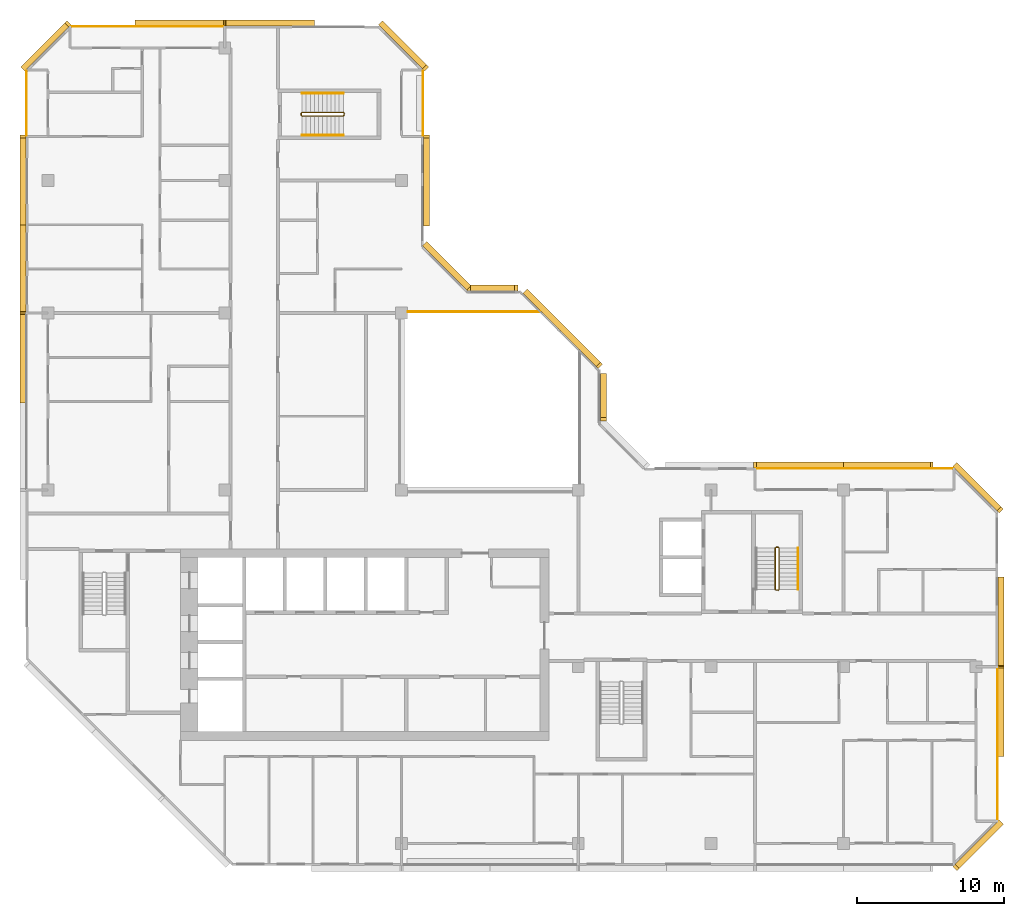
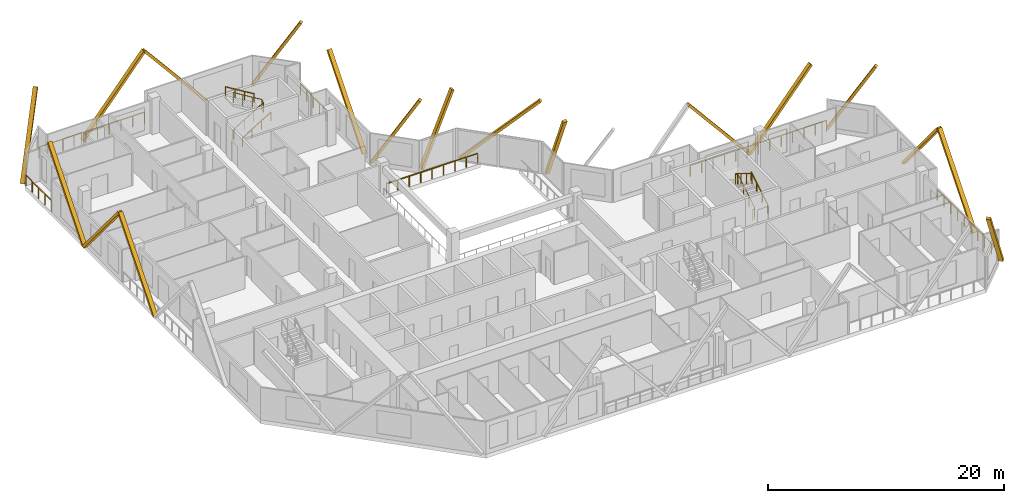
# One storey, part 13 of 13: 18 coverings, 11 railings.
"""IFC4 building model written with IfcOpenShell, lengths in metres."""

from ifc_helpers import new_model, si_unit, direction, frame, origin, origin_2d, place, context, subcontext, project, spatial, rectangle, extrude, material, material_profile, profile_set, type_object, element, save


model = new_model("IFC4")

# Units and contexts
model_context = context("Model", 3, precision=1e-05, world=origin(), true_north=direction((0.0, 1.0)))
body_context = subcontext(model_context, "Body", "Model", "MODEL_VIEW")
ifc_project = project(units=[si_unit("LENGTHUNIT", "METRE"), si_unit("AREAUNIT", "SQUARE_METRE"), si_unit("VOLUMEUNIT", "CUBIC_METRE"), si_unit("PLANEANGLEUNIT", "RADIAN"), si_unit("MASSUNIT", "GRAM", prefix="KILO")], contexts=[model_context])

# Site, building, storey
site_placement = place(None, origin())
site = spatial("IfcSite", under=ifc_project, at=site_placement, CompositionType="ELEMENT")
building_placement = place(site_placement, origin())
building = spatial("IfcBuilding", under=site, at=building_placement, Name="Chenar Terraces", CompositionType="ELEMENT")
storey_placement = place(building_placement, frame((0.0, 0.0, 273.39990234375)))
storey = spatial("IfcBuildingStorey", under=building, at=storey_placement, Name="L63", CompositionType="ELEMENT", Elevation=273.39990234375)

# Railings
ifc_material_1 = material(Name="Powder-coated steel", Category="steel")
railing_type_1 = type_object("IfcRailingType", Name="Guard 1100 steel rail with glass infill", PredefinedType="GUARDRAIL", material=ifc_material_1)
railing_1_placement = place(storey_placement, frame((24.449951171875, 36.10009765625, 0.0)))
element("IfcRailing", 1, at=railing_1_placement, inside=storey, type_object=railing_type_1, Name="Guard L63-2", PredefinedType="GUARDRAIL", context=body_context, shape_type="SweptSolid", body=[
    extrude(rectangle(XDim=0.06005859375, YDim=0.06005859375, at=origin_2d()), frame((0.0, 0.0, 1.070068359375), z_axis=(1.0, 0.0, 0.0), x_axis=(0.0, 1.0, 0.0)), (0.0, 0.0, 1.0), 8.949951171875),
    extrude(rectangle(XDim=0.050048828125, YDim=0.050048828125, at=origin_2d()), origin(), (0.0, 0.0, 1.0), 1.0400390625),
    extrude(rectangle(XDim=0.050048828125, YDim=0.050048828125, at=origin_2d()), frame((1.11865234375, 0.0, 0.0)), (0.0, 0.0, 1.0), 1.0400390625),
    extrude(rectangle(XDim=0.050048828125, YDim=0.050048828125, at=origin_2d()), frame((2.237548828125, 0.0, 0.0)), (0.0, 0.0, 1.0), 1.0400390625),
    extrude(rectangle(XDim=0.050048828125, YDim=0.050048828125, at=origin_2d()), frame((3.356201171875, 0.0, 0.0)), (0.0, 0.0, 1.0), 1.0400390625),
    extrude(rectangle(XDim=0.050048828125, YDim=0.050048828125, at=origin_2d()), frame((4.47509765625, 0.0, 0.0)), (0.0, 0.0, 1.0), 1.0400390625),
    extrude(rectangle(XDim=0.050048828125, YDim=0.050048828125, at=origin_2d()), frame((5.59375, 0.0, 0.0)), (0.0, 0.0, 1.0), 1.0400390625),
    extrude(rectangle(XDim=0.050048828125, YDim=0.050048828125, at=origin_2d()), frame((6.71240234375, 0.0, 0.0)), (0.0, 0.0, 1.0), 1.0400390625),
    extrude(rectangle(XDim=0.050048828125, YDim=0.050048828125, at=origin_2d()), frame((7.831298828125, 0.0, 0.0)), (0.0, 0.0, 1.0), 1.0400390625),
    extrude(rectangle(XDim=0.050048828125, YDim=0.050048828125, at=origin_2d()), frame((8.949951171875, 0.0, 0.0)), (0.0, 0.0, 1.0), 1.0400390625),
])
ifc_material_2 = material(Name="Stainless steel and glass", Category="steel")
railing_type_2 = type_object("IfcRailingType", Name="Loggia guard 1150", PredefinedType="GUARDRAIL", material=ifc_material_2)
railing_2_placement = place(storey_placement, frame((25.449951171875, 48.074951171875, 0.0)))
element("IfcRailing", 2, at=railing_2_placement, inside=storey, type_object=railing_type_2, Name="Loggia guard", PredefinedType="GUARDRAIL", context=body_context, shape_type="SweptSolid", body=[
    extrude(rectangle(XDim=0.048095703125, YDim=0.048095703125, at=origin_2d()), frame((0.0, 0.0, 1.1259765625), z_axis=(0.0, 1.0, 0.0), x_axis=(-1.0, 0.0, 0.0)), (0.0, 0.0, 1.0), 4.35009765625),
    extrude(rectangle(XDim=0.0419921875, YDim=0.0419921875, at=origin_2d()), origin(), (0.0, 0.0, 1.0), 1.101806640625),
    extrude(rectangle(XDim=0.0419921875, YDim=0.0419921875, at=origin_2d()), frame((0.0, 1.08740234375, 0.0)), (0.0, 0.0, 1.0), 1.101806640625),
    extrude(rectangle(XDim=0.0419921875, YDim=0.0419921875, at=origin_2d()), frame((0.0, 2.175048828125, 0.0)), (0.0, 0.0, 1.0), 1.101806640625),
    extrude(rectangle(XDim=0.0419921875, YDim=0.0419921875, at=origin_2d()), frame((0.0, 3.2626953125, 0.0)), (0.0, 0.0, 1.0), 1.101806640625),
    extrude(rectangle(XDim=0.0419921875, YDim=0.0419921875, at=origin_2d()), frame((0.0, 4.35009765625, 0.0)), (0.0, 0.0, 1.0), 1.101806640625),
])
railing_3_placement = place(storey_placement, frame((64.449951171875, 1.574951171875, 0.0)))
element("IfcRailing", 3, at=railing_3_placement, inside=storey, type_object=railing_type_2, Name="Loggia guard", PredefinedType="GUARDRAIL", context=body_context, shape_type="SweptSolid", body=[
    extrude(rectangle(XDim=0.048095703125, YDim=0.048095703125, at=origin_2d()), frame((0.0, 0.0, 1.1259765625), z_axis=(0.0, 1.0, 0.0), x_axis=(-1.0, 0.0, 0.0)), (0.0, 0.0, 1.0), 10.35009765625),
    extrude(rectangle(XDim=0.0419921875, YDim=0.0419921875, at=origin_2d()), origin(), (0.0, 0.0, 1.0), 1.101806640625),
    extrude(rectangle(XDim=0.0419921875, YDim=0.0419921875, at=origin_2d()), frame((0.0, 1.14990234375, 0.0)), (0.0, 0.0, 1.0), 1.101806640625),
    extrude(rectangle(XDim=0.0419921875, YDim=0.0419921875, at=origin_2d()), frame((0.0, 2.300048828125, 0.0)), (0.0, 0.0, 1.0), 1.101806640625),
    extrude(rectangle(XDim=0.0419921875, YDim=0.0419921875, at=origin_2d()), frame((0.0, 3.449951171875, 0.0)), (0.0, 0.0, 1.0), 1.101806640625),
    extrude(rectangle(XDim=0.0419921875, YDim=0.0419921875, at=origin_2d()), frame((0.0, 4.60009765625, 0.0)), (0.0, 0.0, 1.0), 1.101806640625),
    extrude(rectangle(XDim=0.0419921875, YDim=0.0419921875, at=origin_2d()), frame((0.0, 5.75, 0.0)), (0.0, 0.0, 1.0), 1.101806640625),
    extrude(rectangle(XDim=0.0419921875, YDim=0.0419921875, at=origin_2d()), frame((0.0, 6.900146484375, 0.0)), (0.0, 0.0, 1.0), 1.101806640625),
    extrude(rectangle(XDim=0.0419921875, YDim=0.0419921875, at=origin_2d()), frame((0.0, 8.050048828125, 0.0)), (0.0, 0.0, 1.0), 1.101806640625),
    extrude(rectangle(XDim=0.0419921875, YDim=0.0419921875, at=origin_2d()), frame((0.0, 9.2001953125, 0.0)), (0.0, 0.0, 1.0), 1.101806640625),
    extrude(rectangle(XDim=0.0419921875, YDim=0.0419921875, at=origin_2d()), frame((0.0, 10.35009765625, 0.0)), (0.0, 0.0, 1.0), 1.101806640625),
])
railing_4_placement = place(storey_placement, frame((61.425048828125, 25.449951171875, 0.0)))
element("IfcRailing", 4, at=railing_4_placement, inside=storey, type_object=railing_type_2, Name="Loggia guard", PredefinedType="GUARDRAIL", context=body_context, shape_type="SweptSolid", body=[
    extrude(rectangle(XDim=0.048095703125, YDim=0.048095703125, at=origin_2d()), frame((0.0, 0.0, 1.1259765625), z_axis=(-1.0, 0.0, 0.0), x_axis=(0.0, -1.0, 0.0)), (0.0, 0.0, 1.0), 13.35009765625),
    extrude(rectangle(XDim=0.0419921875, YDim=0.0419921875, at=origin_2d()), origin(), (0.0, 0.0, 1.0), 1.101806640625),
    extrude(rectangle(XDim=0.0419921875, YDim=0.0419921875, at=origin_2d()), frame((-1.112548828125, 0.0, 0.0)), (0.0, 0.0, 1.0), 1.101806640625),
    extrude(rectangle(XDim=0.0419921875, YDim=0.0419921875, at=origin_2d()), frame((-2.22509765625, 0.0, 0.0)), (0.0, 0.0, 1.0), 1.101806640625),
    extrude(rectangle(XDim=0.0419921875, YDim=0.0419921875, at=origin_2d()), frame((-3.33740234375, 0.0, 0.0)), (0.0, 0.0, 1.0), 1.101806640625),
    extrude(rectangle(XDim=0.0419921875, YDim=0.0419921875, at=origin_2d()), frame((-4.449951171875, 0.0, 0.0)), (0.0, 0.0, 1.0), 1.101806640625),
    extrude(rectangle(XDim=0.0419921875, YDim=0.0419921875, at=origin_2d()), frame((-5.5625, 0.0, 0.0)), (0.0, 0.0, 1.0), 1.101806640625),
    extrude(rectangle(XDim=0.0419921875, YDim=0.0419921875, at=origin_2d()), frame((-6.675048828125, 0.0, 0.0)), (0.0, 0.0, 1.0), 1.101806640625),
    extrude(rectangle(XDim=0.0419921875, YDim=0.0419921875, at=origin_2d()), frame((-7.78759765625, 0.0, 0.0)), (0.0, 0.0, 1.0), 1.101806640625),
    extrude(rectangle(XDim=0.0419921875, YDim=0.0419921875, at=origin_2d()), frame((-8.900146484375, 0.0, 0.0)), (0.0, 0.0, 1.0), 1.101806640625),
    extrude(rectangle(XDim=0.0419921875, YDim=0.0419921875, at=origin_2d()), frame((-10.0126953125, 0.0, 0.0)), (0.0, 0.0, 1.0), 1.101806640625),
    extrude(rectangle(XDim=0.0419921875, YDim=0.0419921875, at=origin_2d()), frame((-11.125, 0.0, 0.0)), (0.0, 0.0, 1.0), 1.101806640625),
    extrude(rectangle(XDim=0.0419921875, YDim=0.0419921875, at=origin_2d()), frame((-12.237548828125, 0.0, 0.0)), (0.0, 0.0, 1.0), 1.101806640625),
    extrude(rectangle(XDim=0.0419921875, YDim=0.0419921875, at=origin_2d()), frame((-13.35009765625, 0.0, 0.0)), (0.0, 0.0, 1.0), 1.101806640625),
])
railing_5_placement = place(storey_placement, frame((11.925048828125, 55.449951171875, 0.0)))
element("IfcRailing", 5, at=railing_5_placement, inside=storey, type_object=railing_type_2, Name="Loggia guard", PredefinedType="GUARDRAIL", context=body_context, shape_type="SweptSolid", body=[
    extrude(rectangle(XDim=0.048095703125, YDim=0.048095703125, at=origin_2d()), frame((0.0, 0.0, 1.1259765625), z_axis=(-1.0, 0.0, 0.0), x_axis=(0.0, -1.0, 0.0)), (0.0, 0.0, 1.0), 10.35009765625),
    extrude(rectangle(XDim=0.0419921875, YDim=0.0419921875, at=origin_2d()), origin(), (0.0, 0.0, 1.0), 1.101806640625),
    extrude(rectangle(XDim=0.0419921875, YDim=0.0419921875, at=origin_2d()), frame((-1.14990234375, 0.0, 0.0)), (0.0, 0.0, 1.0), 1.101806640625),
    extrude(rectangle(XDim=0.0419921875, YDim=0.0419921875, at=origin_2d()), frame((-2.300048828125, 0.0, 0.0)), (0.0, 0.0, 1.0), 1.101806640625),
    extrude(rectangle(XDim=0.0419921875, YDim=0.0419921875, at=origin_2d()), frame((-3.449951171875, 0.0, 0.0)), (0.0, 0.0, 1.0), 1.101806640625),
    extrude(rectangle(XDim=0.0419921875, YDim=0.0419921875, at=origin_2d()), frame((-4.60009765625, 0.0, 0.0)), (0.0, 0.0, 1.0), 1.101806640625),
    extrude(rectangle(XDim=0.0419921875, YDim=0.0419921875, at=origin_2d()), frame((-5.75, 0.0, 0.0)), (0.0, 0.0, 1.0), 1.101806640625),
    extrude(rectangle(XDim=0.0419921875, YDim=0.0419921875, at=origin_2d()), frame((-6.900146484375, 0.0, 0.0)), (0.0, 0.0, 1.0), 1.101806640625),
    extrude(rectangle(XDim=0.0419921875, YDim=0.0419921875, at=origin_2d()), frame((-8.050048828125, 0.0, 0.0)), (0.0, 0.0, 1.0), 1.101806640625),
    extrude(rectangle(XDim=0.0419921875, YDim=0.0419921875, at=origin_2d()), frame((-9.2001953125, 0.0, 0.0)), (0.0, 0.0, 1.0), 1.101806640625),
    extrude(rectangle(XDim=0.0419921875, YDim=0.0419921875, at=origin_2d()), frame((-10.35009765625, 0.0, 0.0)), (0.0, 0.0, 1.0), 1.101806640625),
])
railing_6_placement = place(storey_placement, frame((-1.449951171875, 52.425048828125, 0.0)))
element("IfcRailing", 6, at=railing_6_placement, inside=storey, type_object=railing_type_2, Name="Loggia guard", PredefinedType="GUARDRAIL", context=body_context, shape_type="SweptSolid", body=[
    extrude(rectangle(XDim=0.048095703125, YDim=0.048095703125, at=origin_2d()), frame((0.0, 0.0, 1.1259765625), z_axis=(0.0, -1.0, 0.0), x_axis=(1.0, 0.0, 0.0)), (0.0, 0.0, 1.0), 4.35009765625),
    extrude(rectangle(XDim=0.0419921875, YDim=0.0419921875, at=origin_2d()), origin(), (0.0, 0.0, 1.0), 1.101806640625),
    extrude(rectangle(XDim=0.0419921875, YDim=0.0419921875, at=origin_2d()), frame((0.0, -1.08740234375, 0.0)), (0.0, 0.0, 1.0), 1.101806640625),
    extrude(rectangle(XDim=0.0419921875, YDim=0.0419921875, at=origin_2d()), frame((0.0, -2.175048828125, 0.0)), (0.0, 0.0, 1.0), 1.101806640625),
    extrude(rectangle(XDim=0.0419921875, YDim=0.0419921875, at=origin_2d()), frame((0.0, -3.2626953125, 0.0)), (0.0, 0.0, 1.0), 1.101806640625),
    extrude(rectangle(XDim=0.0419921875, YDim=0.0419921875, at=origin_2d()), frame((0.0, -4.35009765625, 0.0)), (0.0, 0.0, 1.0), 1.101806640625),
])
ifc_material_3 = material(Name="Powder-coated steel", Category="steel")
railing_type_3 = type_object("IfcRailingType", Name="Stair guard 1100", PredefinedType="GUARDRAIL", material=ifc_material_3)
railing_7_placement = place(storey_placement, frame((49.375, 17.25, 3.75)))
element("IfcRailing", 7, at=railing_7_placement, inside=storey, type_object=railing_type_3, Name="L63 ST3 stair guard 1", PredefinedType="GUARDRAIL", context=body_context, shape_type="SweptSolid", body=[
    extrude(rectangle(XDim=0.048095703125, YDim=0.048095703125, at=origin_2d()), frame((0.0, 0.0, 1.076171875), z_axis=(0.0, 0.854202870247, -0.519939858505), x_axis=(-1.0, 0.0, 0.0)), (0.0, 0.0, 1.0), 3.278076171875),
    extrude(rectangle(XDim=0.048095703125, YDim=0.048095703125, at=origin_2d()), frame((0.0, 2.800048828125, -0.62841796875), z_axis=(0.270899902878, 0.270899902878, -0.923702595667), x_axis=(-0.707106781187, 0.707106781187, 0.0)), (0.0, 0.0, 1.0), 0.184814453125),
    extrude(rectangle(XDim=0.048095703125, YDim=0.048095703125, at=origin_2d()), frame((0.050048828125, 2.85009765625, -0.798828125), z_axis=(1.0, 0.0, 0.0), x_axis=(0.0, 1.0, 0.0)), (0.0, 0.0, 1.0), 0.14990234375),
    extrude(rectangle(XDim=0.048095703125, YDim=0.048095703125, at=origin_2d()), frame((0.199951171875, 2.85009765625, -0.798828125), z_axis=(0.707106781187, -0.707106781187, 0.0), x_axis=(0.707106781187, 0.707106781187, 0.0)), (0.0, 0.0, 1.0), 0.07080078125),
    extrude(rectangle(XDim=0.048095703125, YDim=0.048095703125, at=origin_2d()), frame((0.25, 2.800048828125, -0.798828125), z_axis=(0.0, -0.854202870247, -0.519939858505), x_axis=(1.0, 0.0, 0.0)), (0.0, 0.0, 1.0), 3.278076171875),
    extrude(rectangle(XDim=0.048095703125, YDim=0.048095703125, at=origin_2d()), frame((0.25, 0.0, -2.50341796875), z_axis=(-0.270899902878, -0.270899902878, -0.923702595667), x_axis=(0.707106781187, -0.707106781187, 0.0)), (0.0, 0.0, 1.0), 0.184814453125),
    extrude(rectangle(XDim=0.048095703125, YDim=0.048095703125, at=origin_2d()), frame((0.199951171875, -0.050048828125, -2.673828125), z_axis=(-1.0, 0.0, 0.0), x_axis=(0.0, -1.0, 0.0)), (0.0, 0.0, 1.0), 0.14990234375),
    extrude(rectangle(XDim=0.0419921875, YDim=0.0419921875, at=origin_2d()), origin(), (0.0, 0.0, 1.0), 1.052001953125),
    extrude(rectangle(XDim=0.0419921875, YDim=0.0419921875, at=origin_2d()), frame((0.0, 0.933349609375, -0.568115234375)), (0.0, 0.0, 1.0), 1.052001953125),
    extrude(rectangle(XDim=0.0419921875, YDim=0.0419921875, at=origin_2d()), frame((0.0, 1.86669921875, -1.13623046875)), (0.0, 0.0, 1.0), 1.052001953125),
    extrude(rectangle(XDim=0.0419921875, YDim=0.0419921875, at=origin_2d()), frame((0.0, 2.800048828125, -1.704345703125)), (0.0, 0.0, 1.0), 1.052001953125),
    extrude(rectangle(XDim=0.0419921875, YDim=0.0419921875, at=origin_2d()), frame((0.050048828125, 2.85009765625, -1.875)), (0.0, 0.0, 1.0), 1.052001953125),
    extrude(rectangle(XDim=0.0419921875, YDim=0.0419921875, at=origin_2d()), frame((0.199951171875, 2.85009765625, -1.875)), (0.0, 0.0, 1.0), 1.052001953125),
    extrude(rectangle(XDim=0.0419921875, YDim=0.0419921875, at=origin_2d()), frame((0.25, 2.800048828125, -1.875)), (0.0, 0.0, 1.0), 1.052001953125),
    extrude(rectangle(XDim=0.0419921875, YDim=0.0419921875, at=origin_2d()), frame((0.25, 1.86669921875, -2.443115234375)), (0.0, 0.0, 1.0), 1.052001953125),
    extrude(rectangle(XDim=0.0419921875, YDim=0.0419921875, at=origin_2d()), frame((0.25, 0.933349609375, -3.01123046875)), (0.0, 0.0, 1.0), 1.052001953125),
    extrude(rectangle(XDim=0.0419921875, YDim=0.0419921875, at=origin_2d()), frame((0.25, 0.0, -3.579345703125)), (0.0, 0.0, 1.0), 1.052001953125),
    extrude(rectangle(XDim=0.0419921875, YDim=0.0419921875, at=origin_2d()), frame((0.199951171875, -0.050048828125, -3.75)), (0.0, 0.0, 1.0), 1.052001953125),
    extrude(rectangle(XDim=0.0419921875, YDim=0.0419921875, at=origin_2d()), frame((0.050048828125, -0.050048828125, -3.75)), (0.0, 0.0, 1.0), 1.052001953125),
])
railing_8_placement = place(storey_placement, frame((17.25, 49.625, 3.75)))
element("IfcRailing", 8, at=railing_8_placement, inside=storey, type_object=railing_type_3, Name="L63 ST4 stair guard 1", PredefinedType="GUARDRAIL", context=body_context, shape_type="SweptSolid", body=[
    extrude(rectangle(XDim=0.048095703125, YDim=0.048095703125, at=origin_2d()), frame((0.0, 0.0, 1.076171875), z_axis=(0.854202870247, 0.0, -0.519939858505), x_axis=(0.0, 1.0, 0.0)), (0.0, 0.0, 1.0), 3.278076171875),
    extrude(rectangle(XDim=0.048095703125, YDim=0.048095703125, at=origin_2d()), frame((2.800048828125, 0.0, -0.62841796875), z_axis=(0.270899902878, -0.270899902878, -0.923702595667), x_axis=(0.707106781187, 0.707106781187, 0.0)), (0.0, 0.0, 1.0), 0.184814453125),
    extrude(rectangle(XDim=0.048095703125, YDim=0.048095703125, at=origin_2d()), frame((2.85009765625, -0.050048828125, -0.798828125), z_axis=(0.0, -1.0, 0.0), x_axis=(1.0, 0.0, 0.0)), (0.0, 0.0, 1.0), 0.14990234375),
    extrude(rectangle(XDim=0.048095703125, YDim=0.048095703125, at=origin_2d()), frame((2.85009765625, -0.199951171875, -0.798828125), z_axis=(-0.707106781187, -0.707106781187, 0.0), x_axis=(0.707106781187, -0.707106781187, 0.0)), (0.0, 0.0, 1.0), 0.07080078125),
    extrude(rectangle(XDim=0.048095703125, YDim=0.048095703125, at=origin_2d()), frame((2.800048828125, -0.25, -0.798828125), z_axis=(-0.854202870247, 0.0, -0.519939858505), x_axis=(0.0, -1.0, 0.0)), (0.0, 0.0, 1.0), 3.278076171875),
    extrude(rectangle(XDim=0.048095703125, YDim=0.048095703125, at=origin_2d()), frame((0.0, -0.25, -2.50341796875), z_axis=(-0.270899902878, 0.270899902878, -0.923702595667), x_axis=(-0.707106781187, -0.707106781187, 0.0)), (0.0, 0.0, 1.0), 0.184814453125),
    extrude(rectangle(XDim=0.048095703125, YDim=0.048095703125, at=origin_2d()), frame((-0.050048828125, -0.199951171875, -2.673828125), z_axis=(0.0, 1.0, 0.0), x_axis=(-1.0, 0.0, 0.0)), (0.0, 0.0, 1.0), 0.14990234375),
    extrude(rectangle(XDim=0.0419921875, YDim=0.0419921875, at=origin_2d()), origin(), (0.0, 0.0, 1.0), 1.052001953125),
    extrude(rectangle(XDim=0.0419921875, YDim=0.0419921875, at=origin_2d()), frame((0.933349609375, 0.0, -0.568115234375)), (0.0, 0.0, 1.0), 1.052001953125),
    extrude(rectangle(XDim=0.0419921875, YDim=0.0419921875, at=origin_2d()), frame((1.86669921875, 0.0, -1.13623046875)), (0.0, 0.0, 1.0), 1.052001953125),
    extrude(rectangle(XDim=0.0419921875, YDim=0.0419921875, at=origin_2d()), frame((2.800048828125, 0.0, -1.704345703125)), (0.0, 0.0, 1.0), 1.052001953125),
    extrude(rectangle(XDim=0.0419921875, YDim=0.0419921875, at=origin_2d()), frame((2.85009765625, -0.050048828125, -1.875)), (0.0, 0.0, 1.0), 1.052001953125),
    extrude(rectangle(XDim=0.0419921875, YDim=0.0419921875, at=origin_2d()), frame((2.85009765625, -0.199951171875, -1.875)), (0.0, 0.0, 1.0), 1.052001953125),
    extrude(rectangle(XDim=0.0419921875, YDim=0.0419921875, at=origin_2d()), frame((2.800048828125, -0.25, -1.875)), (0.0, 0.0, 1.0), 1.052001953125),
    extrude(rectangle(XDim=0.0419921875, YDim=0.0419921875, at=origin_2d()), frame((1.86669921875, -0.25, -2.443115234375)), (0.0, 0.0, 1.0), 1.052001953125),
    extrude(rectangle(XDim=0.0419921875, YDim=0.0419921875, at=origin_2d()), frame((0.933349609375, -0.25, -3.01123046875)), (0.0, 0.0, 1.0), 1.052001953125),
    extrude(rectangle(XDim=0.0419921875, YDim=0.0419921875, at=origin_2d()), frame((0.0, -0.25, -3.579345703125)), (0.0, 0.0, 1.0), 1.052001953125),
    extrude(rectangle(XDim=0.0419921875, YDim=0.0419921875, at=origin_2d()), frame((-0.050048828125, -0.199951171875, -3.75)), (0.0, 0.0, 1.0), 1.052001953125),
    extrude(rectangle(XDim=0.0419921875, YDim=0.0419921875, at=origin_2d()), frame((-0.050048828125, -0.050048828125, -3.75)), (0.0, 0.0, 1.0), 1.052001953125),
])
ifc_material_4 = material(Name="Powder-coated steel", Category="steel")
railing_type_4 = type_object("IfcRailingType", Name="Stair handrail 900", PredefinedType="HANDRAIL", material=ifc_material_4)
railing_9_placement = place(storey_placement, frame((50.925048828125, 17.25, 0.170654296875)))
element("IfcRailing", 9, at=railing_9_placement, inside=storey, type_object=railing_type_4, Name="L63 ST3 stair handrail 1", PredefinedType="HANDRAIL", context=body_context, shape_type="SweptSolid", body=[
    extrude(rectangle(XDim=0.048095703125, YDim=0.048095703125, at=origin_2d()), frame((0.0, 0.0, 0.8759765625), z_axis=(0.0, 0.854202870247, 0.519939858505), x_axis=(-1.0, 0.0, 0.0)), (0.0, 0.0, 1.0), 3.278076171875),
    extrude(rectangle(XDim=0.0419921875, YDim=0.0419921875, at=origin_2d()), origin(), (0.0, 0.0, 1.0), 0.851806640625),
    extrude(rectangle(XDim=0.0419921875, YDim=0.0419921875, at=origin_2d()), frame((0.0, 0.933349609375, 0.568115234375)), (0.0, 0.0, 1.0), 0.851806640625),
    extrude(rectangle(XDim=0.0419921875, YDim=0.0419921875, at=origin_2d()), frame((0.0, 1.86669921875, 1.13623046875)), (0.0, 0.0, 1.0), 0.851806640625),
    extrude(rectangle(XDim=0.0419921875, YDim=0.0419921875, at=origin_2d()), frame((0.0, 2.800048828125, 1.704345703125)), (0.0, 0.0, 1.0), 0.851806640625),
])
railing_10_placement = place(storey_placement, frame((17.25, 48.074951171875, 0.170654296875)))
element("IfcRailing", 10, at=railing_10_placement, inside=storey, type_object=railing_type_4, Name="L63 ST4 stair handrail 1", PredefinedType="HANDRAIL", context=body_context, shape_type="SweptSolid", body=[
    extrude(rectangle(XDim=0.048095703125, YDim=0.048095703125, at=origin_2d()), frame((0.0, 0.0, 0.8759765625), z_axis=(0.854202870247, 0.0, 0.519939858505), x_axis=(0.0, 1.0, 0.0)), (0.0, 0.0, 1.0), 3.278076171875),
    extrude(rectangle(XDim=0.0419921875, YDim=0.0419921875, at=origin_2d()), origin(), (0.0, 0.0, 1.0), 0.851806640625),
    extrude(rectangle(XDim=0.0419921875, YDim=0.0419921875, at=origin_2d()), frame((0.933349609375, 0.0, 0.568115234375)), (0.0, 0.0, 1.0), 0.851806640625),
    extrude(rectangle(XDim=0.0419921875, YDim=0.0419921875, at=origin_2d()), frame((1.86669921875, 0.0, 1.13623046875)), (0.0, 0.0, 1.0), 0.851806640625),
    extrude(rectangle(XDim=0.0419921875, YDim=0.0419921875, at=origin_2d()), frame((2.800048828125, 0.0, 1.704345703125)), (0.0, 0.0, 1.0), 0.851806640625),
])
railing_11_placement = place(storey_placement, frame((20.050048828125, 50.925048828125, 2.045654296875)))
element("IfcRailing", 11, at=railing_11_placement, inside=storey, type_object=railing_type_4, Name="L63 ST4 stair handrail 2", PredefinedType="HANDRAIL", context=body_context, shape_type="SweptSolid", body=[
    extrude(rectangle(XDim=0.048095703125, YDim=0.048095703125, at=origin_2d()), frame((0.0, 0.0, 0.8759765625), z_axis=(-0.854202870247, 0.0, 0.519939858505), x_axis=(0.0, -1.0, 0.0)), (0.0, 0.0, 1.0), 3.278076171875),
    extrude(rectangle(XDim=0.0419921875, YDim=0.0419921875, at=origin_2d()), origin(), (0.0, 0.0, 1.0), 0.851806640625),
    extrude(rectangle(XDim=0.0419921875, YDim=0.0419921875, at=origin_2d()), frame((-0.933349609375, 0.0, 0.568115234375)), (0.0, 0.0, 1.0), 0.851806640625),
    extrude(rectangle(XDim=0.0419921875, YDim=0.0419921875, at=origin_2d()), frame((-1.86669921875, 0.0, 1.13623046875)), (0.0, 0.0, 1.0), 0.851806640625),
    extrude(rectangle(XDim=0.0419921875, YDim=0.0419921875, at=origin_2d()), frame((-2.800048828125, 0.0, 1.704345703125)), (0.0, 0.0, 1.0), 0.851806640625),
])

# Coverings
ifc_material_5 = material(Name="Terracotta", Category="masonry")
ifc_material_profile = material_profile(ifc_material_5, rectangle(XDim=0.39990234375, YDim=0.25, at=origin_2d()), Name="Terracotta baguette 400 x 250")
ifc_profile_set = profile_set([ifc_material_profile], Name="Terracotta")
covering_type = type_object("IfcCoveringType", Name="Terracotta baguette 400 x 250", PredefinedType="CLADDING", material=ifc_profile_set)
for number, where, z_axis, x_axis, name in (
    (12, (60.0, 25.699951171875, 7.35009765625), (-0.640186961885, 0.0, -0.768219144407), (0.0, -1.0, 0.0), "Terracotta baguette"),
    (13, (54.0, 25.699951171875, 0.150146484375), (-0.640186961885, 0.0, 0.768219144407), (0.0, -1.0, 0.0), "Terracotta baguette"),
):
    element("IfcCovering", number, at=place(storey_placement, frame(where, z_axis=z_axis, x_axis=x_axis)), inside=storey, type_object=covering_type, Name=name, PredefinedType="CLADDING", context=body_context, shape_type="SweptSolid", body=[
        extrude(rectangle(XDim=0.39990234375, YDim=0.25, at=origin_2d()), origin(), (0.0, 0.0, 1.0), 9.372314453125),
    ])
covering_1_placement = place(storey_placement, frame((37.699951171875, 28.800048828125, 7.35009765625), z_axis=(0.0, 0.384617607118, -0.923075997031), x_axis=(-1.0, 0.0, 0.0)))
element("IfcCovering", 14, at=covering_1_placement, inside=storey, type_object=covering_type, Name="Terracotta baguette", PredefinedType="CLADDING", context=body_context, shape_type="SweptSolid", body=[
    extrude(rectangle(XDim=0.39990234375, YDim=0.25, at=origin_2d()), origin(), (0.0, 0.0, 1.0), 7.800048828125),
])
covering_2_placement = place(storey_placement, frame((37.42919921875, 32.45361328125, 7.35009765625), z_axis=(-0.494222393737, 0.4942466441, -0.715167449151), x_axis=(-0.707124128605, -0.707089433343, 0.0)))
element("IfcCovering", 15, at=covering_2_placement, inside=storey, type_object=covering_type, Name="Terracotta baguette", PredefinedType="CLADDING", context=body_context, shape_type="SweptSolid", body=[
    extrude(rectangle(XDim=0.39990234375, YDim=0.25, at=origin_2d()), origin(), (0.0, 0.0, 1.0), 10.0673828125),
])
covering_3_placement = place(storey_placement, frame((31.800048828125, 37.699951171875, 7.35009765625), z_axis=(-0.384617607118, 0.0, -0.923075997031), x_axis=(0.0, -1.0, 0.0)))
element("IfcCovering", 16, at=covering_3_placement, inside=storey, type_object=covering_type, Name="Terracotta baguette", PredefinedType="CLADDING", context=body_context, shape_type="SweptSolid", body=[
    extrude(rectangle(XDim=0.39990234375, YDim=0.25, at=origin_2d()), origin(), (0.0, 0.0, 1.0), 7.800048828125),
])
covering_4_placement = place(storey_placement, frame((28.641357421875, 37.641357421875, 7.35009765625), z_axis=(-0.358980886355, 0.358980886355, -0.861548284464), x_axis=(-0.707106781187, -0.707106781187, 0.0)))
element("IfcCovering", 17, at=covering_4_placement, inside=storey, type_object=covering_type, Name="Terracotta baguette", PredefinedType="CLADDING", context=body_context, shape_type="SweptSolid", body=[
    extrude(rectangle(XDim=0.39990234375, YDim=0.25, at=origin_2d()), origin(), (0.0, 0.0, 1.0), 8.35693359375),
])
covering_5_placement = place(storey_placement, frame((25.699951171875, 42.0, 0.150146484375), z_axis=(0.0, 0.640186961885, 0.768219144407), x_axis=(-1.0, 0.0, 0.0)))
element("IfcCovering", 18, at=covering_5_placement, inside=storey, type_object=covering_type, Name="Terracotta baguette", PredefinedType="CLADDING", context=body_context, shape_type="SweptSolid", body=[
    extrude(rectangle(XDim=0.39990234375, YDim=0.25, at=origin_2d()), origin(), (0.0, 0.0, 1.0), 9.372314453125),
])
covering_6_placement = place(storey_placement, frame((25.641357421875, 52.641357421875, 7.35009765625), z_axis=(-0.358980886355, 0.358980886355, -0.861548284464), x_axis=(-0.707106781187, -0.707106781187, 0.0)))
element("IfcCovering", 19, at=covering_6_placement, inside=storey, type_object=covering_type, Name="Terracotta baguette", PredefinedType="CLADDING", context=body_context, shape_type="SweptSolid", body=[
    extrude(rectangle(XDim=0.39990234375, YDim=0.25, at=origin_2d()), origin(), (0.0, 0.0, 1.0), 8.35693359375),
])
for number, where, z_axis, x_axis, name in (
    (20, (18.0, 55.699951171875, 0.150146484375), (-0.640186961885, 0.0, 0.768219144407), (0.0, -1.0, 0.0), "Terracotta baguette"),
    (21, (12.0, 55.699951171875, 7.35009765625), (-0.640186961885, 0.0, -0.768219144407), (0.0, -1.0, 0.0), "Terracotta baguette"),
):
    element("IfcCovering", number, at=place(storey_placement, frame(where, z_axis=z_axis, x_axis=x_axis)), inside=storey, type_object=covering_type, Name=name, PredefinedType="CLADDING", context=body_context, shape_type="SweptSolid", body=[
        extrude(rectangle(XDim=0.39990234375, YDim=0.25, at=origin_2d()), origin(), (0.0, 0.0, 1.0), 9.372314453125),
    ])
covering_7_placement = place(storey_placement, frame((1.358642578125, 55.641357421875, 7.35009765625), z_axis=(-0.358980886355, -0.358980886355, -0.861548284464), x_axis=(0.707106781187, -0.707106781187, 0.0)))
element("IfcCovering", 22, at=covering_7_placement, inside=storey, type_object=covering_type, Name="Terracotta baguette", PredefinedType="CLADDING", context=body_context, shape_type="SweptSolid", body=[
    extrude(rectangle(XDim=0.39990234375, YDim=0.25, at=origin_2d()), origin(), (0.0, 0.0, 1.0), 8.35693359375),
])
for number, where, z_axis, x_axis, name in (
    (23, (-1.699951171875, 48.0, 7.35009765625), (0.0, -0.640186961885, -0.768219144407), (1.0, 0.0, 0.0), "Terracotta baguette"),
    (24, (-1.699951171875, 42.0, 0.150146484375), (0.0, -0.640186961885, 0.768219144407), (1.0, 0.0, 0.0), "Terracotta baguette"),
    (25, (-1.699951171875, 36.0, 7.35009765625), (0.0, -0.640186961885, -0.768219144407), (1.0, 0.0, 0.0), "Terracotta baguette"),
):
    element("IfcCovering", number, at=place(storey_placement, frame(where, z_axis=z_axis, x_axis=x_axis)), inside=storey, type_object=covering_type, Name=name, PredefinedType="CLADDING", context=body_context, shape_type="SweptSolid", body=[
        extrude(rectangle(XDim=0.39990234375, YDim=0.25, at=origin_2d()), origin(), (0.0, 0.0, 1.0), 9.372314453125),
    ])
covering_8_placement = place(storey_placement, frame((61.641357421875, -1.641357421875, 7.35009765625), z_axis=(0.358980886355, 0.358980886355, -0.861548284464), x_axis=(-0.707106781187, 0.707106781187, 0.0)))
element("IfcCovering", 26, at=covering_8_placement, inside=storey, type_object=covering_type, Name="Terracotta baguette", PredefinedType="CLADDING", context=body_context, shape_type="SweptSolid", body=[
    extrude(rectangle(XDim=0.39990234375, YDim=0.25, at=origin_2d()), origin(), (0.0, 0.0, 1.0), 8.35693359375),
])
for number, where, z_axis, x_axis, name in (
    (27, (64.699951171875, 6.0, 0.150146484375), (0.0, 0.640186961885, 0.768219144407), (-1.0, 0.0, 0.0), "Terracotta baguette"),
    (28, (64.699951171875, 12.0, 7.35009765625), (0.0, 0.640186961885, -0.768219144407), (-1.0, 0.0, 0.0), "Terracotta baguette"),
):
    element("IfcCovering", number, at=place(storey_placement, frame(where, z_axis=z_axis, x_axis=x_axis)), inside=storey, type_object=covering_type, Name=name, PredefinedType="CLADDING", context=body_context, shape_type="SweptSolid", body=[
        extrude(rectangle(XDim=0.39990234375, YDim=0.25, at=origin_2d()), origin(), (0.0, 0.0, 1.0), 9.372314453125),
    ])
covering_9_placement = place(storey_placement, frame((64.641357421875, 22.641357421875, 7.35009765625), z_axis=(-0.358980886355, 0.358980886355, -0.861548284464), x_axis=(-0.707106781187, -0.707106781187, 0.0)))
element("IfcCovering", 29, at=covering_9_placement, inside=storey, type_object=covering_type, Name="Terracotta baguette", PredefinedType="CLADDING", context=body_context, shape_type="SweptSolid", body=[
    extrude(rectangle(XDim=0.39990234375, YDim=0.25, at=origin_2d()), origin(), (0.0, 0.0, 1.0), 8.35693359375),
])

save(model, "model.ifc")
